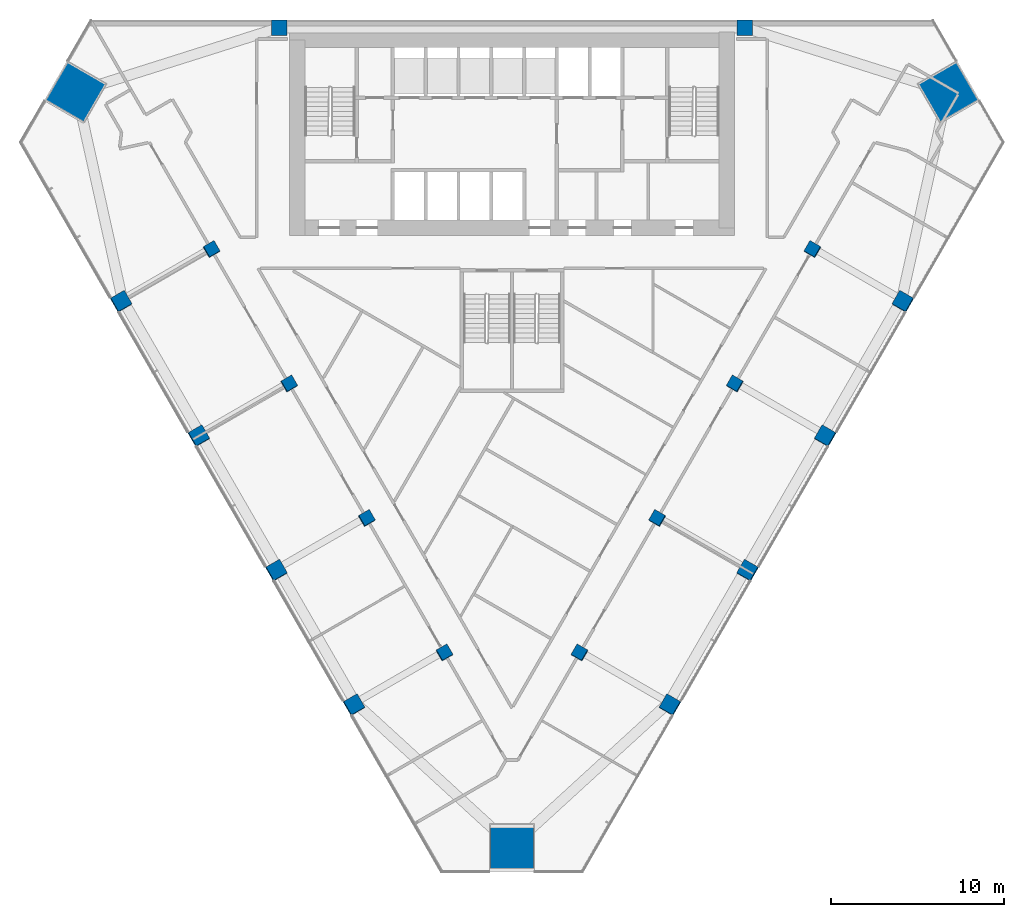
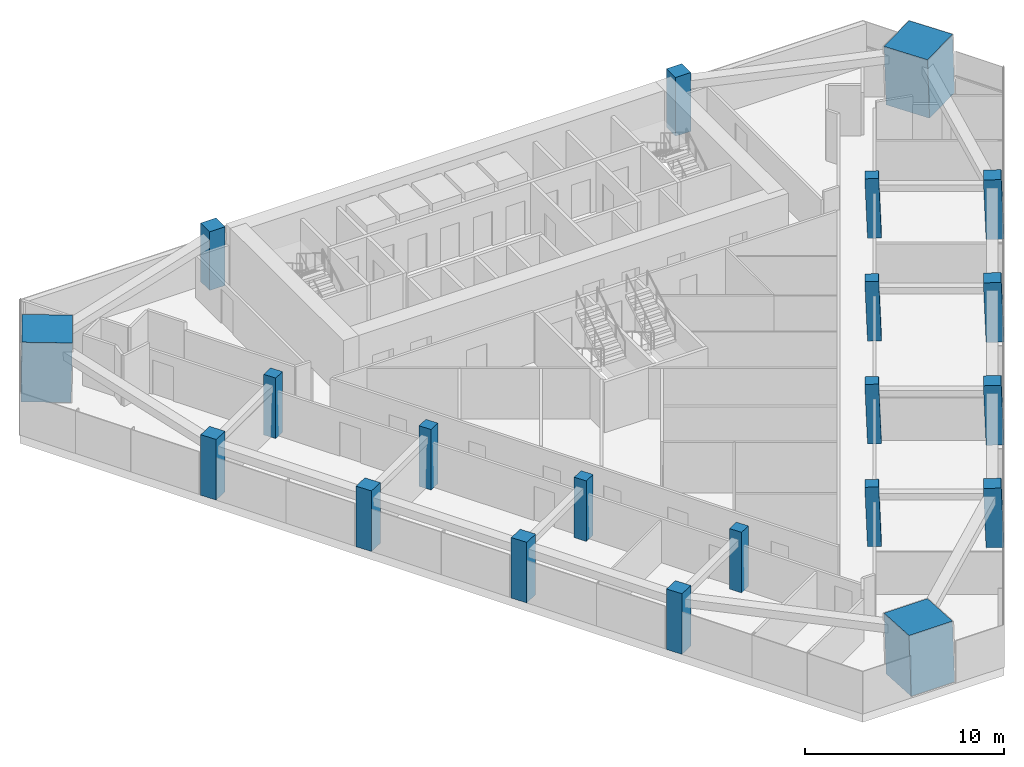
# One storey, part 1 of 14: 21 columns.
"""IFC4 building model written with IfcOpenShell, lengths in metres."""

from ifc_helpers import new_model, si_unit, direction, frame, origin, origin_2d, place, context, subcontext, project, spatial, rectangle, extrude, material, material_profile, profile_set, type_object, element, save


model = new_model("IFC4")

# Units and contexts
model_context = context("Model", 3, precision=1e-05, world=origin(), true_north=direction((0.0, 1.0)))
body_context = subcontext(model_context, "Body", "Model", "MODEL_VIEW")
ifc_project = project(units=[si_unit("LENGTHUNIT", "METRE"), si_unit("AREAUNIT", "SQUARE_METRE"), si_unit("VOLUMEUNIT", "CUBIC_METRE"), si_unit("PLANEANGLEUNIT", "RADIAN"), si_unit("MASSUNIT", "GRAM", prefix="KILO")], contexts=[model_context])

# Site, building, storey
site_placement = place(None, origin())
site = spatial("IfcSite", under=ifc_project, at=site_placement, CompositionType="ELEMENT")
building_placement = place(site_placement, origin())
building = spatial("IfcBuilding", under=site, at=building_placement, Name="Altiplano Prism Tower", CompositionType="ELEMENT")
storey_placement = place(building_placement, frame((0.0, 0.0, 111.60009765625)))
storey = spatial("IfcBuildingStorey", under=building, at=storey_placement, Name="L28", CompositionType="ELEMENT", Elevation=111.60009765625)

# Columns
ifc_material_1 = material(Name="Concrete C60/75", Category="concrete")
ifc_material_profile_1 = material_profile(ifc_material_1, rectangle(XDim=0.699951171875, YDim=0.699951171875, at=origin_2d()), Name="Inner column 700")
ifc_profile_set_1 = profile_set([ifc_material_profile_1], Name="Concrete C60/75")
column_type_1 = type_object("IfcColumnType", Name="Inner column 700", PredefinedType="COLUMN", material=ifc_profile_set_1)
for number, where, z_axis, x_axis, name in (
    (1, (67.572021484375, 91.6962890625, -0.021240234375), (0.022155133694, 0.038483534979, 0.999013597298), (-0.864979671095, -0.500331180667, 0.038456186034), "Inner column I11 L28"),
    (2, (72.072021484375, 83.902099609375, -0.021240234375), (0.022155133694, 0.038483534979, 0.999013597298), (-0.864979688594, -0.500331150474, 0.038456185259), "Inner column I12 L28"),
    (3, (76.572021484375, 76.10791015625, -0.021240234375), (0.02215519141, 0.038415882353, 0.999016199807), (-0.865364621668, -0.499668992839, 0.038405327245), "Inner column I13 L28"),
    (4, (81.072021484375, 68.313720703125, -0.021240234375), (0.02215519141, 0.038415882353, 0.999016199807), (-0.865364621668, -0.499668992839, 0.038405327245), "Inner column I14 L28"),
    (5, (88.927978515625, 68.313720703125, -0.021240234375), (-0.02215519141, 0.038415882353, 0.999016199807), (-0.50065279292, -0.865364153162, 0.02217348332), "Inner column I21 L28"),
    (6, (93.427978515625, 76.10791015625, -0.021240234375), (-0.02215519141, 0.038415882353, 0.999016199807), (-0.50065279292, -0.865364153162, 0.02217348332), "Inner column I22 L28"),
    (7, (97.927978515625, 83.902099609375, -0.021240234375), (-0.022155133694, 0.038483534979, 0.999013597298), (-0.501317552426, -0.864978472218, 0.022202572572), "Inner column I23 L28"),
    (8, (102.427978515625, 91.6962890625, -0.021240234375), (-0.022155133694, 0.038483534979, 0.999013597298), (-0.501317552426, -0.864978472218, 0.022202572572), "Inner column I24 L28"),
):
    element("IfcColumn", number, at=place(storey_placement, frame(where, z_axis=z_axis, x_axis=x_axis)), inside=storey, type_object=column_type_1, Name=name, PredefinedType="COLUMN", context=body_context, shape_type="SweptSolid", body=[
        extrude(rectangle(XDim=0.699951171875, YDim=0.699951171875, at=origin_2d()), origin(), (0.0, 0.0, 1.0), 3.603515625),
    ])
ifc_material_2 = material(Name="Concrete C70/85", Category="concrete")
ifc_material_profile_2 = material_profile(ifc_material_2, rectangle(XDim=2.52001953125, YDim=2.52001953125, at=origin_2d()), Name="Mega column infill 2600")
ifc_profile_set_2 = profile_set([ifc_material_profile_2], Name="Concrete C70/85")
column_type_2 = type_object("IfcColumnType", Name="Mega column infill 2600", PredefinedType="COLUMN", material=ifc_profile_set_2)
column_1_placement = place(storey_placement, frame((59.65576171875, 100.80322265625, 0.0), z_axis=(0.028336004223, 0.009219369795, 0.999555938447), x_axis=(-0.865474489421, 0.500556866764, 0.019918114798)))
element("IfcColumn", 9, at=column_1_placement, inside=storey, type_object=column_type_2, Name="Mega column M0 L28", PredefinedType="COLUMN", context=body_context, shape_type="SweptSolid", body=[
    extrude(rectangle(XDim=2.52001953125, YDim=2.52001953125, at=origin_2d()), origin(), (0.0, 0.0, 1.0), 3.6015625),
])
column_2_placement = place(storey_placement, frame((85.0, 56.905517578125, 0.0), z_axis=(0.0, 0.058360852261, 0.998295552892), x_axis=(-1.0, 0.0, 0.0)))
element("IfcColumn", 10, at=column_2_placement, inside=storey, type_object=column_type_2, Name="Mega column M1 L28", PredefinedType="COLUMN", context=body_context, shape_type="SweptSolid", body=[
    extrude(rectangle(XDim=2.52001953125, YDim=2.52001953125, at=origin_2d()), origin(), (0.0, 0.0, 1.0), 3.60595703125),
])
column_3_placement = place(storey_placement, frame((110.34423828125, 100.80322265625, 0.0), z_axis=(-0.028336004223, 0.009219369795, 0.999555938447), x_axis=(0.500148463849, -0.865656006757, 0.022162853497)))
element("IfcColumn", 11, at=column_3_placement, inside=storey, type_object=column_type_2, Name="Mega column M2 L28", PredefinedType="COLUMN", context=body_context, shape_type="SweptSolid", body=[
    extrude(rectangle(XDim=2.52001953125, YDim=2.52001953125, at=origin_2d()), origin(), (0.0, 0.0, 1.0), 3.6015625),
])
ifc_material_profile_3 = material_profile(ifc_material_1, rectangle(XDim=0.89990234375, YDim=0.89990234375, at=origin_2d()), Name="Perimeter column 900")
ifc_profile_set_3 = profile_set([ifc_material_profile_3], Name="Concrete C60/75")
column_type_3 = type_object("IfcColumnType", Name="Perimeter column 900", PredefinedType="COLUMN", material=ifc_profile_set_3)
for number, where, z_axis, x_axis, name in (
    (12, (98.5, 104.550048828125, 0.0), (0.0, 0.0, 1.0), (1.0, 0.0, 0.0), "Perimeter column P01 L28"),
    (13, (71.5, 104.550048828125, 0.0), (0.0, 0.0, 1.0), (1.0, 0.0, 0.0), "Perimeter column P04 L28"),
):
    element("IfcColumn", number, at=place(storey_placement, frame(where, z_axis=z_axis, x_axis=x_axis)), inside=storey, type_object=column_type_3, Name=name, PredefinedType="COLUMN", context=body_context, shape_type="SweptSolid", body=[
        extrude(rectangle(XDim=0.89990234375, YDim=0.89990234375, at=origin_2d()), origin(), (0.0, 0.0, 1.0), 3.599853515625),
    ])
for number, where, z_axis, x_axis, name in (
    (14, (62.332275390625, 88.671142578125, -0.02734375), (0.022222910879, 0.038415824599, 0.999014697916), (-0.86602133979, -0.49852764231, 0.038434735344), "Perimeter column P11 L28"),
    (15, (66.832275390625, 80.876953125, -0.02734375), (0.022222910879, 0.038415824599, 0.999014697916), (-0.86602133979, -0.49852764231, 0.038434735344), "Perimeter column P12 L28"),
    (16, (71.332275390625, 73.082763671875, -0.02734375), (0.022222910879, 0.038415824599, 0.999014697916), (-0.866024007531, -0.498523017131, 0.038434616832), "Perimeter column P13 L28"),
    (17, (75.832275390625, 65.288330078125, -0.02734375), (0.022222852987, 0.038483477124, 0.999012095419), (-0.86564204084, -0.499182068467, 0.038485317347), "Perimeter column P14 L28"),
    (18, (94.167724609375, 65.288330078125, -0.02734375), (-0.022222852987, 0.038483477124, 0.999012095419), (-0.500169973044, -0.865642122652, 0.022219665955), "Perimeter column P21 L28"),
    (19, (98.667724609375, 73.082763671875, -0.02734375), (-0.022222910879, 0.038415824599, 0.999014697916), (-0.499508318862, -0.866024841336, 0.022190393791), "Perimeter column P22 L28"),
    (20, (103.167724609375, 80.876953125, -0.02734375), (-0.022222910879, 0.038415824599, 0.999014697916), (-0.499512944036, -0.866022178858, 0.022190188523), "Perimeter column P23 L28"),
    (21, (107.667724609375, 88.671142578125, -0.02734375), (-0.022222910879, 0.038415824599, 0.999014697916), (-0.499512944036, -0.866022178858, 0.022190188523), "Perimeter column P24 L28"),
):
    element("IfcColumn", number, at=place(storey_placement, frame(where, z_axis=z_axis, x_axis=x_axis)), inside=storey, type_object=column_type_3, Name=name, PredefinedType="COLUMN", context=body_context, shape_type="SweptSolid", body=[
        extrude(rectangle(XDim=0.89990234375, YDim=0.89990234375, at=origin_2d()), origin(), (0.0, 0.0, 1.0), 3.603515625),
    ])

save(model, "model.ifc")
